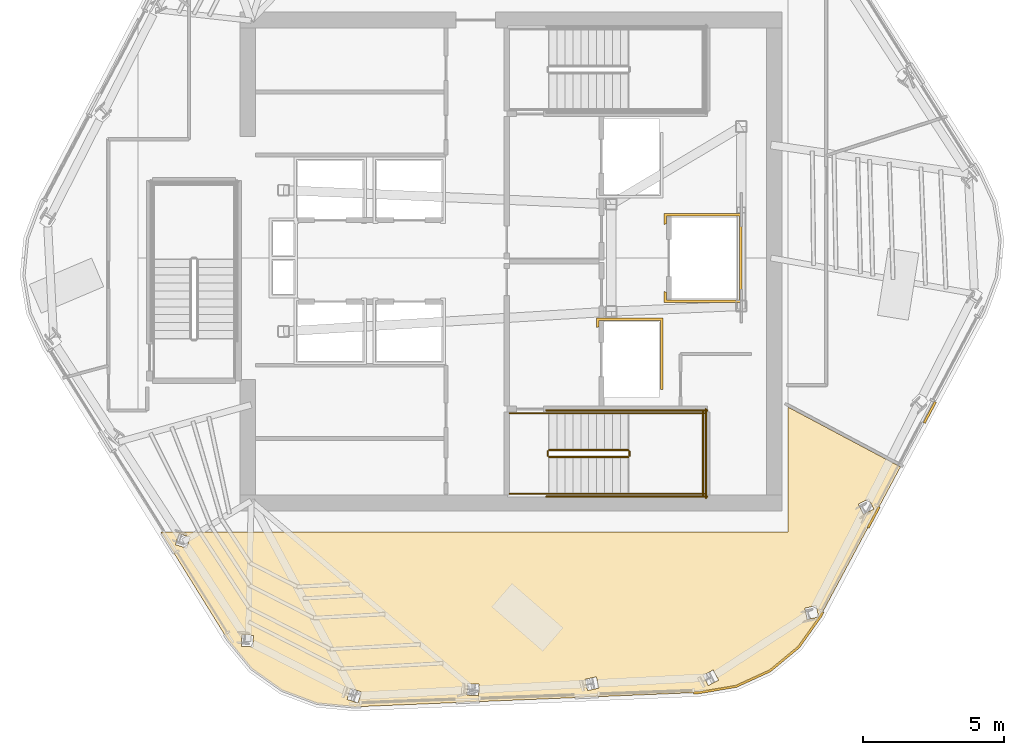
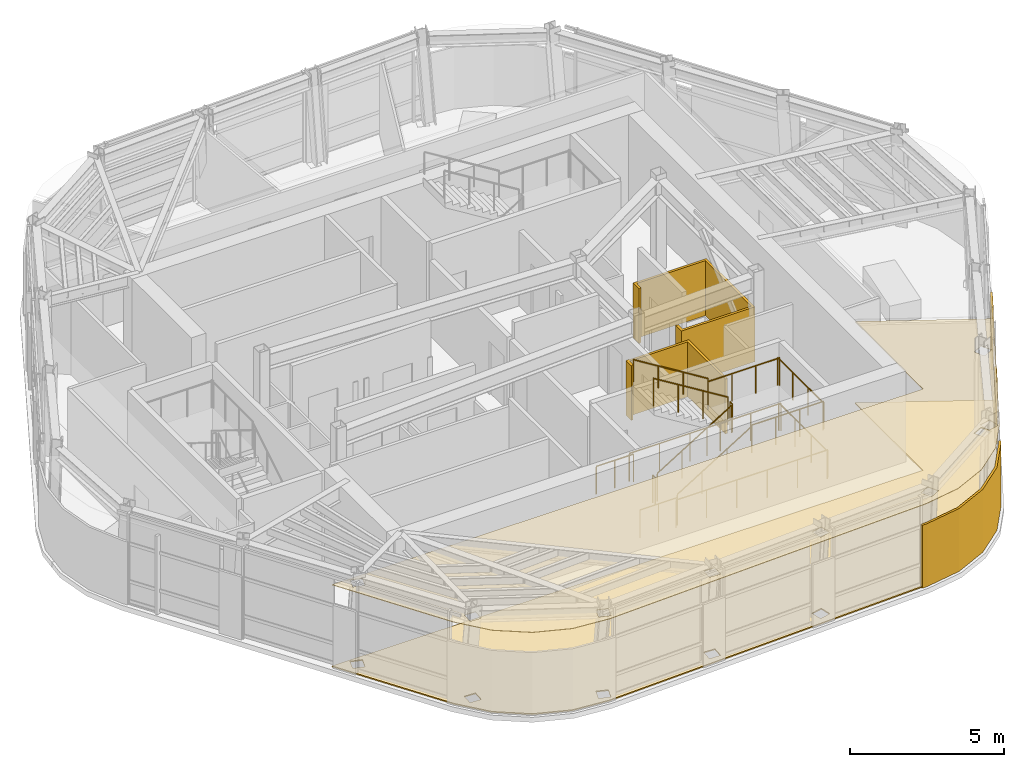
# One storey, part 10 of 13: 14 railings, 7 coverings.
"""IFC4 building model written with IfcOpenShell, lengths in metres."""

from ifc_helpers import new_model, si_unit, direction, frame, origin, origin_2d, place, context, subcontext, project, spatial, polyline, circle, outline, extrude, material, layer, layer_set, type_object, element, save


model = new_model("IFC4")

# Units and contexts
model_context = context("Model", 3, precision=1e-05, world=origin(), true_north=direction((0.0, 1.0)))
body_context = subcontext(model_context, "Body", "Model", "MODEL_VIEW")
ifc_project = project(units=[si_unit("LENGTHUNIT", "METRE"), si_unit("AREAUNIT", "SQUARE_METRE"), si_unit("VOLUMEUNIT", "CUBIC_METRE"), si_unit("PLANEANGLEUNIT", "RADIAN"), si_unit("MASSUNIT", "GRAM", prefix="KILO")], contexts=[model_context])

# Site, building, storey
site_placement = place(None, origin())
site = spatial("IfcSite", under=ifc_project, at=site_placement, CompositionType="ELEMENT")
building_placement = place(site_placement, origin())
building = spatial("IfcBuilding", under=site, at=building_placement, Name="Valkerne Bourse Tower", CompositionType="ELEMENT")
storey_placement = place(building_placement, frame((0.0, 0.0, 292.60009765625)))
storey = spatial("IfcBuildingStorey", under=building, at=storey_placement, Name="L74", CompositionType="ELEMENT", Elevation=292.60009765625)

# Coverings
ifc_material_1 = material(Name="Mineral Fiber Acoustic Ceiling Tile", Category="acoustic")
ifc_layer_1 = layer(ifc_material_1, 0.02490234375)
ifc_layer_set_1 = layer_set([ifc_layer_1], Name="Mineral Fiber Acoustic Ceiling Tile")
covering_type_1 = type_object("IfcCoveringType", Name="COV-CEIL-ACT", PredefinedType="CEILING", material=ifc_layer_set_1)
covering_1_placement = place(storey_placement, frame((0.0, 0.0, 3.25)))
element("IfcCovering", 1, at=covering_1_placement, inside=storey, type_object=covering_type_1, Name="L74 Suspended Ceiling 09", PredefinedType="CEILING", context=body_context, shape_type="SweptSolid", body=[
    extrude(outline(polyline([(55.966796875, 12.38671875), (54.76708984375, 11.837646484375), (53.4560546875, 11.615966796875), (41.2548828125, 11.10791015625), (39.93212890625, 11.23291015625), (38.6953125, 11.69287109375), (37.61962890625, 12.457275390625), (36.772705078125, 13.48095703125), (34.4033203125, 17.300048828125), (56.60009765625, 17.300048828125), (56.60009765625, 21.722412109375), (60.58837890625, 19.601806640625), (57.753662109375, 14.3115234375), (56.9833984375, 13.22802734375), (55.966796875, 12.38671875)]), holes=[polyline([(41.507080078125, 11.636474609375), (41.120849609375, 11.76123046875), (40.9951171875, 11.371826171875), (40.997314453125, 11.37109375), (41.38330078125, 11.24609375), (41.50927734375, 11.6357421875), (41.507080078125, 11.636474609375)]), polyline([(45.671875, 11.907958984375), (45.2666015625, 11.930908203125), (45.243408203125, 11.522216796875), (45.24560546875, 11.52197265625), (45.65087890625, 11.499267578125), (45.674072265625, 11.90771484375), (45.671875, 11.907958984375)]), polyline([(37.677734375, 13.637939453125), (37.269775390625, 13.657470703125), (37.24951171875, 13.25146484375), (37.25146484375, 13.25), (37.65966796875, 13.230712890625), (37.6796875, 13.63671875), (37.677734375, 13.637939453125)]), polyline([(35.433837890625, 17.114990234375), (35.0439453125, 17.2373046875), (34.921630859375, 16.849609375), (34.923095703125, 16.847900390625), (35.31298828125, 16.7255859375), (35.435302734375, 17.11328125), (35.433837890625, 17.114990234375)]), polyline([(49.9091796875, 11.770751953125), (49.8203125, 12.17041015625), (49.818115234375, 12.169921875), (49.421875, 12.081787109375), (49.5107421875, 11.68212890625), (49.5126953125, 11.6826171875), (49.9091796875, 11.770751953125)]), polyline([(54.147216796875, 12.048583984375), (53.960205078125, 12.41259765625), (53.9580078125, 12.41162109375), (53.596923828125, 12.22607421875), (53.7841796875, 11.862060546875), (53.786376953125, 11.863037109375), (54.147216796875, 12.048583984375)]), polyline([(57.689697265625, 14.291748046875), (57.604248046875, 14.689208984375), (57.20458984375, 14.604248046875), (57.202880859375, 14.602783203125), (57.2880859375, 14.205078125), (57.687744140625, 14.290283203125), (57.689697265625, 14.291748046875)]), polyline([(59.6416015625, 18.107421875), (59.4580078125, 18.47021484375), (59.093017578125, 18.28662109375), (59.091796875, 18.28466796875), (59.275146484375, 17.921875), (59.64013671875, 18.105712890625), (59.6416015625, 18.107421875)])]), origin(), (0.0, 0.0, 1.0), 0.02490234375),
])
ifc_material_2 = material(Name="Bronze Anodised Aluminium AA 6063-T6", Category="aluminium")
ifc_layer_2 = layer(ifc_material_2, 0.06005859375)
ifc_layer_set_2 = layer_set([ifc_layer_2], Name="Bronze Anodised Aluminium AA 6063-T6")
covering_type_2 = type_object("IfcCoveringType", Name="COV-CRN-ALUM", PredefinedType="CLADDING", material=ifc_layer_set_2)
covering_2_placement = place(storey_placement, origin())
element("IfcCovering", 2, at=covering_2_placement, inside=storey, type_object=covering_type_2, Name="L74 Wind-Shaped Corner Aluminium Cladding 02", PredefinedType="CLADDING", context=body_context, shape_type="SweptSolid", body=[
    extrude(outline(polyline([(61.46435546875, 21.143310546875), (61.3935546875, 21.180908203125), (61.790283203125, 21.92138671875), (61.861083984375, 21.8837890625), (61.46435546875, 21.143310546875)])), origin(), (0.0, 0.0, 1.0), 2.5),
])
covering_3_placement = place(storey_placement, origin())
element("IfcCovering", 3, at=covering_3_placement, inside=storey, type_object=covering_type_2, Name="L74 Wind-Shaped Corner Aluminium Cladding 03", PredefinedType="CLADDING", context=body_context, shape_type="SweptSolid", body=[
    extrude(outline(polyline([(59.474853515625, 17.4306640625), (59.404296875, 17.468017578125), (59.80078125, 18.20849609375), (59.87158203125, 18.171142578125), (59.474853515625, 17.4306640625)])), origin(), (0.0, 0.0, 1.0), 2.5),
])
covering_4_placement = place(storey_placement, origin())
element("IfcCovering", 4, at=covering_4_placement, inside=storey, type_object=covering_type_2, Name="L74 Wind-Shaped Corner Aluminium Cladding 04", PredefinedType="CLADDING", context=body_context, shape_type="SweptSolid", body=[
    extrude(outline(polyline([(57.791015625, 14.288330078125), (57.01611328125, 13.19775390625), (55.990478515625, 12.34912109375), (54.780029296875, 11.795166015625), (53.460693359375, 11.572021484375), (53.267822265625, 11.56396484375), (53.264892578125, 11.64404296875), (53.452392578125, 11.65185546875), (54.75634765625, 11.872314453125), (55.947509765625, 12.41748046875), (56.956787109375, 13.252685546875), (57.722900390625, 14.33056640625), (57.8115234375, 14.495849609375), (57.88232421875, 14.45849609375), (57.791015625, 14.288330078125)])), origin(), (0.0, 0.0, 1.0), 2.5),
])
ifc_material_3 = material(Name="Galvanised Painted Steel", Category="steel")
ifc_layer_3 = layer(ifc_material_3, 0.044921875)
ifc_layer_set_3 = layer_set([ifc_layer_3], Name="Galvanised Painted Steel")
covering_type_3 = type_object("IfcCoveringType", Name="COV-FLR-RAF", PredefinedType="FLOORING", material=ifc_layer_set_3)
covering_5_placement = place(storey_placement, origin())
element("IfcCovering", 5, at=covering_5_placement, inside=storey, type_object=covering_type_3, Name="L74 Floor Finish 09", PredefinedType="FLOORING", context=body_context, shape_type="SweptSolid", body=[
    extrude(outline(polyline([(55.966796875, 12.38671875), (54.76708984375, 11.837646484375), (53.4560546875, 11.615966796875), (41.2548828125, 11.10791015625), (39.93212890625, 11.23291015625), (38.6953125, 11.69287109375), (37.61962890625, 12.457275390625), (36.772705078125, 13.48095703125), (34.4033203125, 17.300048828125), (56.60009765625, 17.300048828125), (56.60009765625, 21.722412109375), (60.58837890625, 19.601806640625), (57.753662109375, 14.3115234375), (56.9833984375, 13.22802734375), (55.966796875, 12.38671875)]), holes=[polyline([(41.507080078125, 11.636474609375), (41.120849609375, 11.76123046875), (40.9951171875, 11.371826171875), (40.997314453125, 11.37109375), (41.38330078125, 11.24609375), (41.50927734375, 11.6357421875), (41.507080078125, 11.636474609375)]), polyline([(45.671875, 11.907958984375), (45.2666015625, 11.930908203125), (45.243408203125, 11.522216796875), (45.24560546875, 11.52197265625), (45.65087890625, 11.499267578125), (45.674072265625, 11.90771484375), (45.671875, 11.907958984375)]), polyline([(37.677734375, 13.637939453125), (37.269775390625, 13.657470703125), (37.24951171875, 13.25146484375), (37.25146484375, 13.25), (37.65966796875, 13.230712890625), (37.6796875, 13.63671875), (37.677734375, 13.637939453125)]), polyline([(35.433837890625, 17.114990234375), (35.0439453125, 17.2373046875), (34.921630859375, 16.849609375), (34.923095703125, 16.847900390625), (35.31298828125, 16.7255859375), (35.435302734375, 17.11328125), (35.433837890625, 17.114990234375)]), polyline([(49.9091796875, 11.770751953125), (49.8203125, 12.17041015625), (49.818115234375, 12.169921875), (49.421875, 12.081787109375), (49.5107421875, 11.68212890625), (49.5126953125, 11.6826171875), (49.9091796875, 11.770751953125)]), polyline([(54.147216796875, 12.048583984375), (53.960205078125, 12.41259765625), (53.9580078125, 12.41162109375), (53.596923828125, 12.22607421875), (53.7841796875, 11.862060546875), (53.786376953125, 11.863037109375), (54.147216796875, 12.048583984375)]), polyline([(57.689697265625, 14.291748046875), (57.604248046875, 14.689208984375), (57.20458984375, 14.604248046875), (57.202880859375, 14.602783203125), (57.2880859375, 14.205078125), (57.687744140625, 14.290283203125), (57.689697265625, 14.291748046875)]), polyline([(59.6416015625, 18.107421875), (59.4580078125, 18.47021484375), (59.093017578125, 18.28662109375), (59.091796875, 18.28466796875), (59.275146484375, 17.921875), (59.64013671875, 18.105712890625), (59.6416015625, 18.107421875)])]), origin(), (0.0, 0.0, 1.0), 0.044921875),
])
ifc_material_4 = material(Name="Gypsum Shaftwall Liner Board", Category="gypsum")
ifc_layer_4 = layer(ifc_material_4, 0.080078125)
ifc_layer_set_4 = layer_set([ifc_layer_4], Name="Gypsum Shaftwall Liner Board")
covering_type_4 = type_object("IfcCoveringType", Name="COV-SHF-CLAD", PredefinedType="CLADDING", material=ifc_layer_set_4)
covering_6_placement = place(storey_placement, origin())
element("IfcCovering", 6, at=covering_6_placement, inside=storey, type_object=covering_type_4, Name="L74 Hoistway & Riser Shaftwall Liner 01", PredefinedType="CLADDING", context=body_context, shape_type="SweptSolid", body=[
    extrude(outline(polyline([(52.179931640625, 24.8798828125), (52.179931640625, 22.35009765625), (52.090087890625, 22.35009765625), (52.090087890625, 24.7900390625), (49.909912109375, 24.7900390625), (49.909912109375, 24.560791015625), (49.869384765625, 24.550537109375), (49.827880859375, 24.53564453125), (49.820068359375, 24.531982421875), (49.820068359375, 24.8798828125), (52.179931640625, 24.8798828125)])), origin(), (0.0, 0.0, 1.0), 2.179931640625),
])
covering_7_placement = place(storey_placement, origin())
element("IfcCovering", 7, at=covering_7_placement, inside=storey, type_object=covering_type_4, Name="L74 Hoistway & Riser Shaftwall Liner 05", PredefinedType="CLADDING", context=body_context, shape_type="SweptSolid", body=[
    extrude(outline(polyline([(54.97998046875, 28.580078125), (54.97998046875, 25.419921875), (52.219970703125, 25.419921875), (52.219970703125, 25.81787109375), (52.227783203125, 25.814208984375), (52.269287109375, 25.79931640625), (52.31005859375, 25.789306640625), (52.31005859375, 25.510009765625), (54.889892578125, 25.510009765625), (54.889892578125, 28.489990234375), (52.31005859375, 28.489990234375), (52.31005859375, 28.210693359375), (52.269287109375, 28.20068359375), (52.227783203125, 28.185791015625), (52.219970703125, 28.18212890625), (52.219970703125, 28.580078125), (54.97998046875, 28.580078125)])), origin(), (0.0, 0.0, 1.0), 2.179931640625),
])

# Railings
railing_type_1 = type_object("IfcRailingType", Name="RLG-ST-GUARD-1120", PredefinedType="GUARDRAIL", material=ifc_material_3)
railing_1_placement = place(storey_placement, frame((48.14990234375, 19.949951171875, 0.172607421875)))
element("IfcRailing", 8, at=railing_1_placement, inside=storey, type_object=railing_type_1, Name="L74 ST-1 stair guard 1", PredefinedType="GUARDRAIL", context=body_context, shape_type="SweptSolid", body=[
    extrude(circle(Radius=0.02392578125, at=origin_2d()), frame((0.0, 0.0, 1.09619140625), z_axis=(0.851089632645, 0.0, 0.525020415988), x_axis=(0.0, 1.0, 0.0)), (0.0, 0.0, 1.0), 3.2900390625),
    extrude(circle(Radius=0.02099609375, at=origin_2d()), origin(), (0.0, 0.0, 1.0), 1.072021484375),
    extrude(circle(Radius=0.02099609375, at=origin_2d()), frame((0.933349609375, 0.0, 0.57568359375)), (0.0, 0.0, 1.0), 1.072021484375),
    extrude(circle(Radius=0.02099609375, at=origin_2d()), frame((1.86669921875, 0.0, 1.151611328125)), (0.0, 0.0, 1.0), 1.072021484375),
    extrude(circle(Radius=0.02099609375, at=origin_2d()), frame((2.800048828125, 0.0, 1.727294921875)), (0.0, 0.0, 1.0), 1.072021484375),
])
railing_2_placement = place(storey_placement, frame((51.0, 20.0, 1.89990234375)))
element("IfcRailing", 9, at=railing_2_placement, inside=storey, type_object=railing_type_1, Name="L74 ST-1 stair guard 2", PredefinedType="GUARDRAIL", context=body_context, shape_type="SweptSolid", body=[
    extrude(circle(Radius=0.02392578125, at=origin_2d()), frame((0.0, 0.0, 1.09619140625), z_axis=(0.0, 1.0, 0.0), x_axis=(-1.0, 0.0, 0.0)), (0.0, 0.0, 1.0), 0.14990234375),
    extrude(circle(Radius=0.02099609375, at=origin_2d()), origin(), (0.0, 0.0, 1.0), 1.072021484375),
    extrude(circle(Radius=0.02099609375, at=origin_2d()), frame((0.0, 0.14990234375, 0.0)), (0.0, 0.0, 1.0), 1.072021484375),
])
for number, where, name in (
    (10, (50.949951171875, 18.64990234375, 1.89990234375), "L74 ST-1 stair guard 3"),
    (11, (50.949951171875, 21.5, 1.89990234375), "L74 ST-1 stair guard 4"),
):
    element("IfcRailing", number, at=place(storey_placement, frame(where)), inside=storey, type_object=railing_type_1, Name=name, PredefinedType="GUARDRAIL", context=body_context, shape_type="SweptSolid", body=[
        extrude(circle(Radius=0.02392578125, at=origin_2d()), frame((0.0, 0.0, 1.09619140625), z_axis=(1.0, 0.0, 0.0), x_axis=(0.0, 1.0, 0.0)), (0.0, 0.0, 1.0), 2.699951171875),
        extrude(circle(Radius=0.02099609375, at=origin_2d()), origin(), (0.0, 0.0, 1.0), 1.072021484375),
        extrude(circle(Radius=0.02099609375, at=origin_2d()), frame((0.89990234375, 0.0, 0.0)), (0.0, 0.0, 1.0), 1.072021484375),
        extrude(circle(Radius=0.02099609375, at=origin_2d()), frame((1.800048828125, 0.0, 0.0)), (0.0, 0.0, 1.0), 1.072021484375),
        extrude(circle(Radius=0.02099609375, at=origin_2d()), frame((2.699951171875, 0.0, 0.0)), (0.0, 0.0, 1.0), 1.072021484375),
    ])
railing_3_placement = place(storey_placement, frame((53.60009765625, 18.60009765625, 1.89990234375)))
element("IfcRailing", 12, at=railing_3_placement, inside=storey, type_object=railing_type_1, Name="L74 ST-1 stair guard 5", PredefinedType="GUARDRAIL", context=body_context, shape_type="SweptSolid", body=[
    extrude(circle(Radius=0.02392578125, at=origin_2d()), frame((0.0, 0.0, 1.09619140625), z_axis=(0.0, 1.0, 0.0), x_axis=(-1.0, 0.0, 0.0)), (0.0, 0.0, 1.0), 2.949951171875),
    extrude(circle(Radius=0.02099609375, at=origin_2d()), origin(), (0.0, 0.0, 1.0), 1.072021484375),
    extrude(circle(Radius=0.02099609375, at=origin_2d()), frame((0.0, 0.9833984375, 0.0)), (0.0, 0.0, 1.0), 1.072021484375),
    extrude(circle(Radius=0.02099609375, at=origin_2d()), frame((0.0, 1.966552734375, 0.0)), (0.0, 0.0, 1.0), 1.072021484375),
    extrude(circle(Radius=0.02099609375, at=origin_2d()), frame((0.0, 2.949951171875, 0.0)), (0.0, 0.0, 1.0), 1.072021484375),
])
railing_4_placement = place(storey_placement, frame((50.949951171875, 20.199951171875, 2.072509765625)))
element("IfcRailing", 13, at=railing_4_placement, inside=storey, type_object=railing_type_1, Name="L74 ST-1 stair guard 6", PredefinedType="GUARDRAIL", context=body_context, shape_type="SweptSolid", body=[
    extrude(circle(Radius=0.02392578125, at=origin_2d()), frame((0.0, 0.0, 1.09619140625), z_axis=(-0.851089632645, 0.0, 0.525020415988), x_axis=(0.0, -1.0, 0.0)), (0.0, 0.0, 1.0), 3.2900390625),
    extrude(circle(Radius=0.02099609375, at=origin_2d()), origin(), (0.0, 0.0, 1.0), 1.072021484375),
    extrude(circle(Radius=0.02099609375, at=origin_2d()), frame((-0.933349609375, 0.0, 0.57568359375)), (0.0, 0.0, 1.0), 1.072021484375),
    extrude(circle(Radius=0.02099609375, at=origin_2d()), frame((-1.86669921875, 0.0, 1.151611328125)), (0.0, 0.0, 1.0), 1.072021484375),
    extrude(circle(Radius=0.02099609375, at=origin_2d()), frame((-2.800048828125, 0.0, 1.727294921875)), (0.0, 0.0, 1.0), 1.072021484375),
])
railing_5_placement = place(storey_placement, frame((48.10009765625, 20.0, 0.0)))
element("IfcRailing", 14, at=railing_5_placement, inside=storey, type_object=railing_type_1, Name="L74 ST-1 stair guard 7", PredefinedType="GUARDRAIL", context=body_context, shape_type="SweptSolid", body=[
    extrude(circle(Radius=0.02392578125, at=origin_2d()), frame((0.0, 0.0, 1.09619140625), z_axis=(0.0, 1.0, 0.0), x_axis=(-1.0, 0.0, 0.0)), (0.0, 0.0, 1.0), 0.14990234375),
    extrude(circle(Radius=0.02099609375, at=origin_2d()), origin(), (0.0, 0.0, 1.0), 1.072021484375),
    extrude(circle(Radius=0.02099609375, at=origin_2d()), frame((0.0, 0.14990234375, 0.0)), (0.0, 0.0, 1.0), 1.072021484375),
])
for number, where, name in (
    (15, (46.75, 18.64990234375, 0.0), "L74 ST-1 stair guard 8"),
    (16, (46.75, 21.5, 0.0), "L74 ST-1 stair guard 9"),
):
    element("IfcRailing", number, at=place(storey_placement, frame(where)), inside=storey, type_object=railing_type_1, Name=name, PredefinedType="GUARDRAIL", context=body_context, shape_type="SweptSolid", body=[
        extrude(circle(Radius=0.02392578125, at=origin_2d()), frame((0.0, 0.0, 1.09619140625), z_axis=(1.0, 0.0, 0.0), x_axis=(0.0, 1.0, 0.0)), (0.0, 0.0, 1.0), 1.39990234375),
        extrude(circle(Radius=0.02099609375, at=origin_2d()), origin(), (0.0, 0.0, 1.0), 1.072021484375),
        extrude(circle(Radius=0.02099609375, at=origin_2d()), frame((0.699951171875, 0.0, 0.0)), (0.0, 0.0, 1.0), 1.072021484375),
        extrude(circle(Radius=0.02099609375, at=origin_2d()), frame((1.39990234375, 0.0, 0.0)), (0.0, 0.0, 1.0), 1.072021484375),
    ])
for number, where, name in (
    (17, (48.050048828125, 18.550048828125, 0.0), "L74 ST-1 stair guard 10"),
    (18, (48.050048828125, 21.60009765625, 0.0), "L74 ST-1 stair guard 11"),
):
    element("IfcRailing", number, at=place(storey_placement, frame(where)), inside=storey, type_object=railing_type_1, Name=name, PredefinedType="GUARDRAIL", context=body_context, shape_type="SweptSolid", body=[
        extrude(circle(Radius=0.02392578125, at=origin_2d()), frame((0.0, 0.0, 1.09619140625), z_axis=(1.0, 0.0, 0.0), x_axis=(0.0, 1.0, 0.0)), (0.0, 0.0, 1.0), 5.699951171875),
        extrude(circle(Radius=0.02099609375, at=origin_2d()), origin(), (0.0, 0.0, 1.0), 1.072021484375),
        extrude(circle(Radius=0.02099609375, at=origin_2d()), frame((1.139892578125, 0.0, 0.0)), (0.0, 0.0, 1.0), 1.072021484375),
        extrude(circle(Radius=0.02099609375, at=origin_2d()), frame((2.280029296875, 0.0, 0.0)), (0.0, 0.0, 1.0), 1.072021484375),
        extrude(circle(Radius=0.02099609375, at=origin_2d()), frame((3.419921875, 0.0, 0.0)), (0.0, 0.0, 1.0), 1.072021484375),
        extrude(circle(Radius=0.02099609375, at=origin_2d()), frame((4.56005859375, 0.0, 0.0)), (0.0, 0.0, 1.0), 1.072021484375),
        extrude(circle(Radius=0.02099609375, at=origin_2d()), frame((5.699951171875, 0.0, 0.0)), (0.0, 0.0, 1.0), 1.072021484375),
    ])
railing_6_placement = place(storey_placement, frame((53.699951171875, 18.5, 0.0)))
element("IfcRailing", 19, at=railing_6_placement, inside=storey, type_object=railing_type_1, Name="L74 ST-1 stair guard 12", PredefinedType="GUARDRAIL", context=body_context, shape_type="SweptSolid", body=[
    extrude(circle(Radius=0.02392578125, at=origin_2d()), frame((0.0, 0.0, 1.09619140625), z_axis=(0.0, 1.0, 0.0), x_axis=(-1.0, 0.0, 0.0)), (0.0, 0.0, 1.0), 3.14990234375),
    extrude(circle(Radius=0.02099609375, at=origin_2d()), origin(), (0.0, 0.0, 1.0), 1.072021484375),
    extrude(circle(Radius=0.02099609375, at=origin_2d()), frame((0.0, 1.050048828125, 0.0)), (0.0, 0.0, 1.0), 1.072021484375),
    extrude(circle(Radius=0.02099609375, at=origin_2d()), frame((0.0, 2.099853515625, 0.0)), (0.0, 0.0, 1.0), 1.072021484375),
    extrude(circle(Radius=0.02099609375, at=origin_2d()), frame((0.0, 3.14990234375, 0.0)), (0.0, 0.0, 1.0), 1.072021484375),
])
ifc_material_5 = material(Name="Stainless Steel AISI 316", Category="steel")
railing_type_2 = type_object("IfcRailingType", Name="RLG-ST-HANDRAIL-900", PredefinedType="HANDRAIL", material=ifc_material_5)
railing_7_placement = place(storey_placement, frame((48.14990234375, 18.64990234375, 0.345458984375)))
element("IfcRailing", 20, at=railing_7_placement, inside=storey, type_object=railing_type_2, Name="L74 ST-1 stair handrail 1", PredefinedType="HANDRAIL", context=body_context, shape_type="SweptSolid", body=[
    extrude(circle(Radius=0.02392578125, at=origin_2d()), frame((0.0, 0.0, 0.8759765625), z_axis=(0.851122791225, 0.0, 0.524966660138), x_axis=(0.0, 1.0, 0.0)), (0.0, 0.0, 1.0), 3.289794921875),
    extrude(circle(Radius=0.02099609375, at=origin_2d()), origin(), (0.0, 0.0, 1.0), 0.851806640625),
    extrude(circle(Radius=0.02099609375, at=origin_2d()), frame((0.933349609375, 0.0, 0.57568359375)), (0.0, 0.0, 1.0), 0.851806640625),
    extrude(circle(Radius=0.02099609375, at=origin_2d()), frame((1.86669921875, 0.0, 1.1513671875)), (0.0, 0.0, 1.0), 0.851806640625),
    extrude(circle(Radius=0.02099609375, at=origin_2d()), frame((2.800048828125, 0.0, 1.72705078125)), (0.0, 0.0, 1.0), 0.851806640625),
])
railing_8_placement = place(storey_placement, frame((50.949951171875, 21.5, 2.245361328125)))
element("IfcRailing", 21, at=railing_8_placement, inside=storey, type_object=railing_type_2, Name="L74 ST-1 stair handrail 2", PredefinedType="HANDRAIL", context=body_context, shape_type="SweptSolid", body=[
    extrude(circle(Radius=0.02392578125, at=origin_2d()), frame((0.0, 0.0, 0.8759765625), z_axis=(-0.851089632645, 0.0, 0.525020415988), x_axis=(0.0, -1.0, 0.0)), (0.0, 0.0, 1.0), 3.2900390625),
    extrude(circle(Radius=0.02099609375, at=origin_2d()), origin(), (0.0, 0.0, 1.0), 0.851806640625),
    extrude(circle(Radius=0.02099609375, at=origin_2d()), frame((-0.933349609375, 0.0, 0.57568359375)), (0.0, 0.0, 1.0), 0.851806640625),
    extrude(circle(Radius=0.02099609375, at=origin_2d()), frame((-1.86669921875, 0.0, 1.151611328125)), (0.0, 0.0, 1.0), 0.851806640625),
    extrude(circle(Radius=0.02099609375, at=origin_2d()), frame((-2.800048828125, 0.0, 1.727294921875)), (0.0, 0.0, 1.0), 0.851806640625),
])

save(model, "model.ifc")
